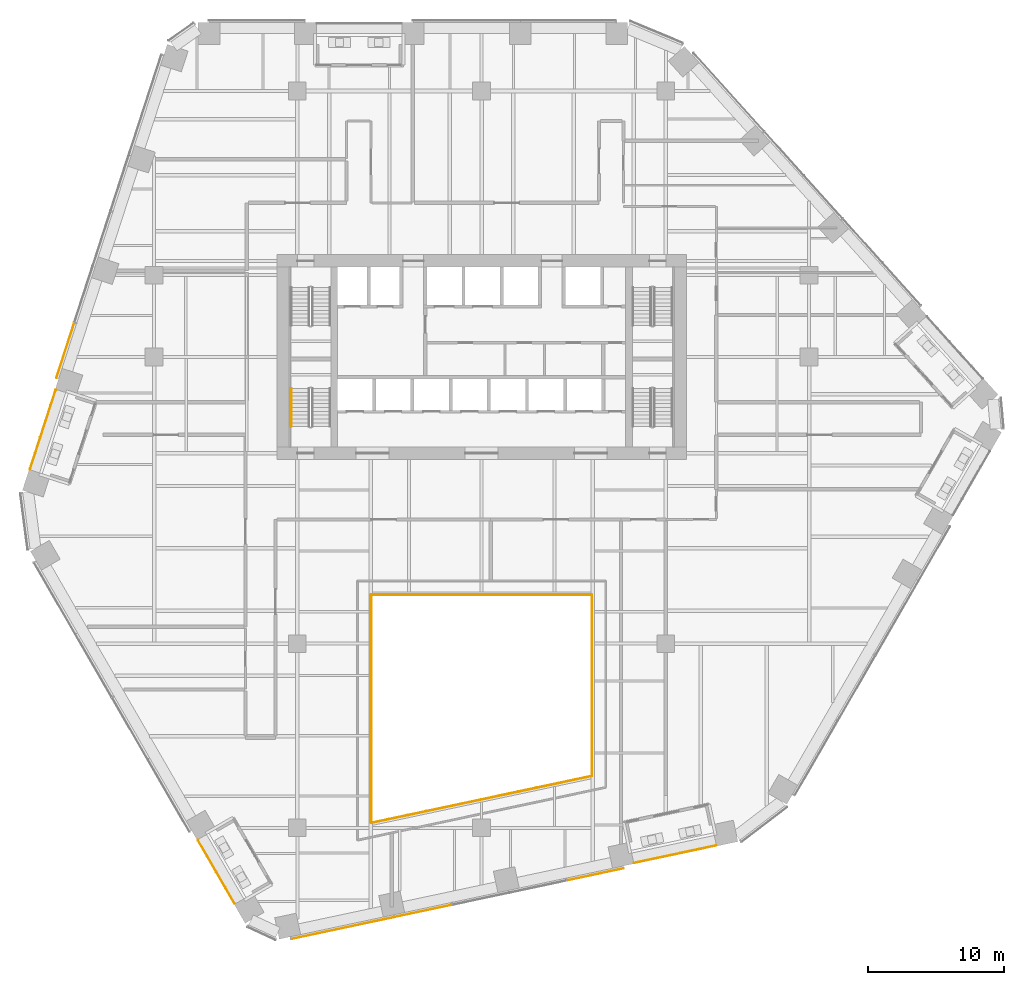
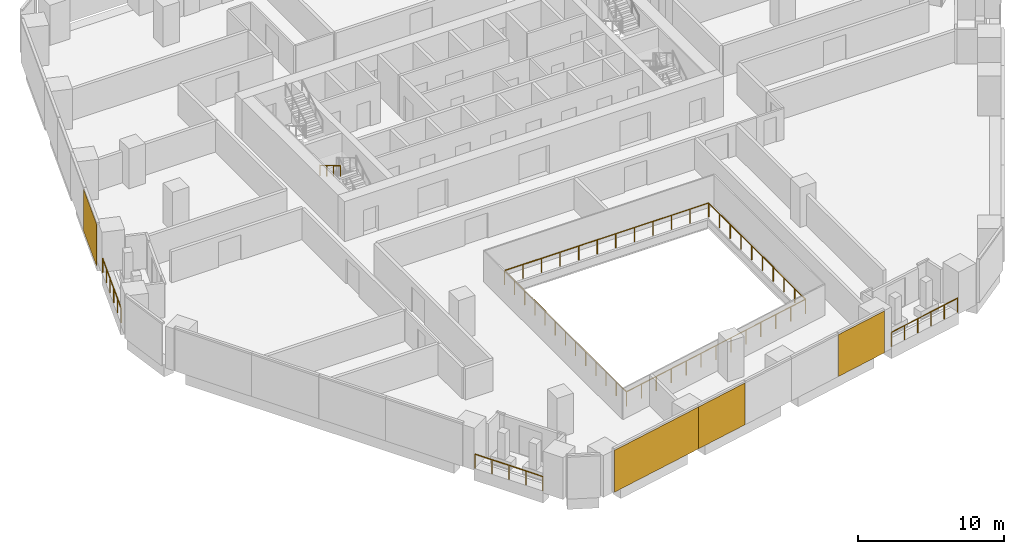
# One storey, part 27 of 31: 8 railings, 4 coverings, 2 elements without a shape of their own.
"""IFC4 building model written with IfcOpenShell, lengths in metres."""

from ifc_helpers import new_model, si_unit, direction, frame, origin, origin_2d, place, context, subcontext, project, spatial, rectangle, circle, extrude, material, layer, layer_set, type_object, element, aggregate, save


model = new_model("IFC4")

# Units and contexts
model_context = context("Model", 3, precision=1e-05, world=origin(), true_north=direction((0.0, 1.0)))
body_context = subcontext(model_context, "Body", "Model", "MODEL_VIEW")
ifc_project = project(units=[si_unit("LENGTHUNIT", "METRE"), si_unit("AREAUNIT", "SQUARE_METRE"), si_unit("VOLUMEUNIT", "CUBIC_METRE"), si_unit("PLANEANGLEUNIT", "RADIAN"), si_unit("MASSUNIT", "GRAM", prefix="KILO")], contexts=[model_context])

# Site, building, storey
site_placement = place(None, origin())
site = spatial("IfcSite", under=ifc_project, at=site_placement, CompositionType="ELEMENT")
building_placement = place(site_placement, origin())
building = spatial("IfcBuilding", under=site, at=building_placement, Name="Isthmus Gate Tower", CompositionType="ELEMENT")
storey_placement = place(building_placement, frame((0.0, 0.0, 113.5)))
storey = spatial("IfcBuildingStorey", under=building, at=storey_placement, Name="L27", CompositionType="ELEMENT", Elevation=113.5)

# Railings
ifc_material_1 = material(Name="Laminated toughened glass balustrade with steel rail", Category="steel")
railing_type_1 = type_object("IfcRailingType", Name="ATRIUM GUARD GLASS BALUSTRADE 1200", PredefinedType="GUARDRAIL", material=ifc_material_1)
railing_1_placement = place(storey_placement, frame((-8.080078125, -26.642822265625, 0.0)))
element("IfcRailing", 1, at=railing_1_placement, inside=storey, type_object=railing_type_1, Name="L27 atrium guard", PredefinedType="GUARDRAIL", context=body_context, shape_type="SweptSolid", body=[
    extrude(circle(Radius=0.02490234375, at=origin_2d()), frame((0.0, 0.0, 1.1748046875), z_axis=(0.0, 1.0, 0.0), x_axis=(-1.0, 0.0, 0.0)), (0.0, 0.0, 1.0), 16.722900390625),
    extrude(circle(Radius=0.02490234375, at=origin_2d()), origin(), (0.0, 0.0, 1.0), 1.14990234375),
    extrude(circle(Radius=0.02490234375, at=origin_2d()), frame((0.0, 1.3935546875, 0.0)), (0.0, 0.0, 1.0), 1.14990234375),
    extrude(circle(Radius=0.02490234375, at=origin_2d()), frame((0.0, 2.787109375, 0.0)), (0.0, 0.0, 1.0), 1.14990234375),
    extrude(circle(Radius=0.02490234375, at=origin_2d()), frame((0.0, 4.1806640625, 0.0)), (0.0, 0.0, 1.0), 1.14990234375),
    extrude(circle(Radius=0.02490234375, at=origin_2d()), frame((0.0, 5.57421875, 0.0)), (0.0, 0.0, 1.0), 1.14990234375),
    extrude(circle(Radius=0.02490234375, at=origin_2d()), frame((0.0, 6.9677734375, 0.0)), (0.0, 0.0, 1.0), 1.14990234375),
    extrude(circle(Radius=0.02490234375, at=origin_2d()), frame((0.0, 8.361328125, 0.0)), (0.0, 0.0, 1.0), 1.14990234375),
    extrude(circle(Radius=0.02490234375, at=origin_2d()), frame((0.0, 9.755126953125, 0.0)), (0.0, 0.0, 1.0), 1.14990234375),
    extrude(circle(Radius=0.02490234375, at=origin_2d()), frame((0.0, 11.148681640625, 0.0)), (0.0, 0.0, 1.0), 1.14990234375),
    extrude(circle(Radius=0.02490234375, at=origin_2d()), frame((0.0, 12.542236328125, 0.0)), (0.0, 0.0, 1.0), 1.14990234375),
    extrude(circle(Radius=0.02490234375, at=origin_2d()), frame((0.0, 13.935791015625, 0.0)), (0.0, 0.0, 1.0), 1.14990234375),
    extrude(circle(Radius=0.02490234375, at=origin_2d()), frame((0.0, 15.329345703125, 0.0)), (0.0, 0.0, 1.0), 1.14990234375),
    extrude(circle(Radius=0.02490234375, at=origin_2d()), frame((0.0, 16.722900390625, 0.0)), (0.0, 0.0, 1.0), 1.14990234375),
])
railing_2_placement = place(storey_placement, frame((-8.080078125, -9.919921875, 0.0)))
element("IfcRailing", 2, at=railing_2_placement, inside=storey, type_object=railing_type_1, Name="L27 atrium guard", PredefinedType="GUARDRAIL", context=body_context, shape_type="SweptSolid", body=[
    extrude(circle(Radius=0.02490234375, at=origin_2d()), frame((0.0, 0.0, 1.1748046875), z_axis=(1.0, 0.0, 0.0), x_axis=(0.0, 1.0, 0.0)), (0.0, 0.0, 1.0), 16.16015625),
    extrude(circle(Radius=0.02490234375, at=origin_2d()), origin(), (0.0, 0.0, 1.0), 1.14990234375),
    extrude(circle(Radius=0.02490234375, at=origin_2d()), frame((1.468994140625, 0.0, 0.0)), (0.0, 0.0, 1.0), 1.14990234375),
    extrude(circle(Radius=0.02490234375, at=origin_2d()), frame((2.938232421875, 0.0, 0.0)), (0.0, 0.0, 1.0), 1.14990234375),
    extrude(circle(Radius=0.02490234375, at=origin_2d()), frame((4.4072265625, 0.0, 0.0)), (0.0, 0.0, 1.0), 1.14990234375),
    extrude(circle(Radius=0.02490234375, at=origin_2d()), frame((5.87646484375, 0.0, 0.0)), (0.0, 0.0, 1.0), 1.14990234375),
    extrude(circle(Radius=0.02490234375, at=origin_2d()), frame((7.345458984375, 0.0, 0.0)), (0.0, 0.0, 1.0), 1.14990234375),
    extrude(circle(Radius=0.02490234375, at=origin_2d()), frame((8.814697265625, 0.0, 0.0)), (0.0, 0.0, 1.0), 1.14990234375),
    extrude(circle(Radius=0.02490234375, at=origin_2d()), frame((10.28369140625, 0.0, 0.0)), (0.0, 0.0, 1.0), 1.14990234375),
    extrude(circle(Radius=0.02490234375, at=origin_2d()), frame((11.7529296875, 0.0, 0.0)), (0.0, 0.0, 1.0), 1.14990234375),
    extrude(circle(Radius=0.02490234375, at=origin_2d()), frame((13.221923828125, 0.0, 0.0)), (0.0, 0.0, 1.0), 1.14990234375),
    extrude(circle(Radius=0.02490234375, at=origin_2d()), frame((14.691162109375, 0.0, 0.0)), (0.0, 0.0, 1.0), 1.14990234375),
    extrude(circle(Radius=0.02490234375, at=origin_2d()), frame((16.16015625, 0.0, 0.0)), (0.0, 0.0, 1.0), 1.14990234375),
])
railing_3_placement = place(storey_placement, frame((8.080078125, -9.919921875, 0.0)))
element("IfcRailing", 3, at=railing_3_placement, inside=storey, type_object=railing_type_1, Name="L27 atrium guard", PredefinedType="GUARDRAIL", context=body_context, shape_type="SweptSolid", body=[
    extrude(circle(Radius=0.02490234375, at=origin_2d()), frame((0.0, 0.0, 1.1748046875), z_axis=(0.0, -1.0, 0.0), x_axis=(1.0, 0.0, 0.0)), (0.0, 0.0, 1.0), 13.2880859375),
    extrude(circle(Radius=0.02490234375, at=origin_2d()), origin(), (0.0, 0.0, 1.0), 1.14990234375),
    extrude(circle(Radius=0.02490234375, at=origin_2d()), frame((0.0, -1.4765625, 0.0)), (0.0, 0.0, 1.0), 1.14990234375),
    extrude(circle(Radius=0.02490234375, at=origin_2d()), frame((0.0, -2.952880859375, 0.0)), (0.0, 0.0, 1.0), 1.14990234375),
    extrude(circle(Radius=0.02490234375, at=origin_2d()), frame((0.0, -4.429443359375, 0.0)), (0.0, 0.0, 1.0), 1.14990234375),
    extrude(circle(Radius=0.02490234375, at=origin_2d()), frame((0.0, -5.90576171875, 0.0)), (0.0, 0.0, 1.0), 1.14990234375),
    extrude(circle(Radius=0.02490234375, at=origin_2d()), frame((0.0, -7.38232421875, 0.0)), (0.0, 0.0, 1.0), 1.14990234375),
    extrude(circle(Radius=0.02490234375, at=origin_2d()), frame((0.0, -8.858642578125, 0.0)), (0.0, 0.0, 1.0), 1.14990234375),
    extrude(circle(Radius=0.02490234375, at=origin_2d()), frame((0.0, -10.335205078125, 0.0)), (0.0, 0.0, 1.0), 1.14990234375),
    extrude(circle(Radius=0.02490234375, at=origin_2d()), frame((0.0, -11.8115234375, 0.0)), (0.0, 0.0, 1.0), 1.14990234375),
    extrude(circle(Radius=0.02490234375, at=origin_2d()), frame((0.0, -13.2880859375, 0.0)), (0.0, 0.0, 1.0), 1.14990234375),
])
railing_4_placement = place(storey_placement, frame((8.080078125, -23.2080078125, 0.0)))
element("IfcRailing", 4, at=railing_4_placement, inside=storey, type_object=railing_type_1, Name="L27 atrium guard", PredefinedType="GUARDRAIL", context=body_context, shape_type="SweptSolid", body=[
    extrude(circle(Radius=0.02490234375, at=origin_2d()), frame((0.0, 0.0, 1.1748046875), z_axis=(-0.978149235358, -0.207904000366, 0.0), x_axis=(0.207904000366, -0.978149235358, 0.0)), (0.0, 0.0, 1.0), 16.521240234375),
    extrude(circle(Radius=0.02490234375, at=origin_2d()), origin(), (0.0, 0.0, 1.0), 1.14990234375),
    extrude(circle(Radius=0.02490234375, at=origin_2d()), frame((-1.3466796875, -0.2861328125, 0.0)), (0.0, 0.0, 1.0), 1.14990234375),
    extrude(circle(Radius=0.02490234375, at=origin_2d()), frame((-2.693359375, -0.572509765625, 0.0)), (0.0, 0.0, 1.0), 1.14990234375),
    extrude(circle(Radius=0.02490234375, at=origin_2d()), frame((-4.0400390625, -0.858642578125, 0.0)), (0.0, 0.0, 1.0), 1.14990234375),
    extrude(circle(Radius=0.02490234375, at=origin_2d()), frame((-5.38671875, -1.14501953125, 0.0)), (0.0, 0.0, 1.0), 1.14990234375),
    extrude(circle(Radius=0.02490234375, at=origin_2d()), frame((-6.7333984375, -1.43115234375, 0.0)), (0.0, 0.0, 1.0), 1.14990234375),
    extrude(circle(Radius=0.02490234375, at=origin_2d()), frame((-8.080078125, -1.71728515625, 0.0)), (0.0, 0.0, 1.0), 1.14990234375),
    extrude(circle(Radius=0.02490234375, at=origin_2d()), frame((-9.4267578125, -2.003662109375, 0.0)), (0.0, 0.0, 1.0), 1.14990234375),
    extrude(circle(Radius=0.02490234375, at=origin_2d()), frame((-10.7734375, -2.289794921875, 0.0)), (0.0, 0.0, 1.0), 1.14990234375),
    extrude(circle(Radius=0.02490234375, at=origin_2d()), frame((-12.1201171875, -2.576171875, 0.0)), (0.0, 0.0, 1.0), 1.14990234375),
    extrude(circle(Radius=0.02490234375, at=origin_2d()), frame((-13.466796875, -2.8623046875, 0.0)), (0.0, 0.0, 1.0), 1.14990234375),
    extrude(circle(Radius=0.02490234375, at=origin_2d()), frame((-14.8134765625, -3.148681640625, 0.0)), (0.0, 0.0, 1.0), 1.14990234375),
    extrude(circle(Radius=0.02490234375, at=origin_2d()), frame((-16.16015625, -3.434814453125, 0.0)), (0.0, 0.0, 1.0), 1.14990234375),
])

# Curtain wall, covering
ifc_material_2 = material(Name="Aluminium, pale champagne anodised", Category="aluminium")
ifc_layer_1 = layer(ifc_material_2, 0.199951171875)
ifc_layer_set_1 = layer_set([ifc_layer_1], Name="CW-1 UNITISED CURTAIN WALL 200 DEEP")
curtain_wall_type = type_object("IfcCurtainWallType", Name="CW-1 UNITISED CURTAIN WALL 200 DEEP", PredefinedType="NOTDEFINED", material=ifc_layer_set_1)
curtain_wall_1_placement = place(storey_placement, origin())
curtain_wall_1 = element("IfcCurtainWall", 5, at=curtain_wall_1_placement, inside=storey, type_object=curtain_wall_type, Name="CW-1 NW L27", PredefinedType="NOTDEFINED")
ifc_material_3 = material(Name="Aluminium composite panel, pale champagne anodised", Category="aluminium")
ifc_layer_2 = layer(ifc_material_3, 0.0400390625)
ifc_layer_set_2 = layer_set([ifc_layer_2], Name="CW-1 PALE METAL PANEL 40")
covering_type = type_object("IfcCoveringType", Name="CW-1 PALE METAL PANEL 40", PredefinedType="CLADDING", material=ifc_layer_set_2)
covering_1_placement = place(storey_placement, frame((-30.5087890625, 7.9775390625, 0.0), z_axis=(0.0, 0.0, 1.0), x_axis=(-0.309016994375, -0.951056516295, 0.0)))
covering_1 = element("IfcCovering", 6, at=covering_1_placement, type_object=covering_type, Name="CW-1 pale metal panel", PredefinedType="CLADDING", context=body_context, shape_type="SweptSolid", body=[
    extrude(rectangle(XDim=4.234619140625, YDim=0.0400390625, at=origin_2d()), origin(), (0.0, 0.0, 1.0), 3.5),
])
aggregate(curtain_wall_1, [covering_1])

# Curtain wall, coverings
curtain_wall_2_placement = place(storey_placement, origin())
curtain_wall_2 = element("IfcCurtainWall", 7, at=curtain_wall_2_placement, inside=storey, type_object=curtain_wall_type, Name="CW-1 S L27", PredefinedType="NOTDEFINED")
covering_2_placement = place(storey_placement, frame((-10.166748046875, -34.344970703125, 0.0), z_axis=(0.0, 0.0, 1.0), x_axis=(0.978147600734, 0.207911690818, 0.0)))
covering_2 = element("IfcCovering", 8, at=covering_2_placement, type_object=covering_type, Name="CW-1 pale metal panel", PredefinedType="CLADDING", context=body_context, shape_type="SweptSolid", body=[
    extrude(rectangle(XDim=7.729248046875, YDim=0.0400390625, at=origin_2d()), origin(), (0.0, 0.0, 1.0), 3.5),
])
covering_3_placement = place(storey_placement, frame((-4.2861328125, -33.094970703125, 0.0), z_axis=(0.0, 0.0, 1.0), x_axis=(0.978147600734, 0.207911690818, 0.0)))
covering_3 = element("IfcCovering", 9, at=covering_3_placement, type_object=covering_type, Name="CW-1 pale metal panel", PredefinedType="CLADDING", context=body_context, shape_type="SweptSolid", body=[
    extrude(rectangle(XDim=4.294677734375, YDim=0.0400390625, at=origin_2d()), origin(), (0.0, 0.0, 1.0), 3.5),
])
covering_4_placement = place(storey_placement, frame((8.345703125, -30.41015625, 0.0), z_axis=(0.0, 0.0, 1.0), x_axis=(0.978147600734, 0.207911690818, 0.0)))
covering_4 = element("IfcCovering", 10, at=covering_4_placement, type_object=covering_type, Name="CW-1 pale metal panel", PredefinedType="CLADDING", context=body_context, shape_type="SweptSolid", body=[
    extrude(rectangle(XDim=4.234619140625, YDim=0.0400390625, at=origin_2d()), origin(), (0.0, 0.0, 1.0), 3.5),
])
aggregate(curtain_wall_2, [covering_2, covering_3, covering_4])

# Railings
ifc_material_4 = material(Name="Toughened laminated glass with stainless steel posts", Category="steel")
railing_type_2 = type_object("IfcRailingType", Name="GUARD 1200 FRAMELESS GLASS", PredefinedType="GUARDRAIL", material=ifc_material_4)
railing_5_placement = place(storey_placement, frame((-31.203857421875, 5.09375, 0.0)))
element("IfcRailing", 11, at=railing_5_placement, inside=storey, type_object=railing_type_2, Name="LOGGIA GUARD", PredefinedType="GUARDRAIL", context=body_context, shape_type="SweptSolid", body=[
    extrude(circle(Radius=0.02490234375, at=origin_2d()), frame((0.0, 0.0, 1.1748046875), z_axis=(-0.309025530193, -0.951053742798, 0.0), x_axis=(0.951053742798, -0.309025530193, 0.0)), (0.0, 0.0, 1.0), 6.109375),
    extrude(circle(Radius=0.02490234375, at=origin_2d()), origin(), (0.0, 0.0, 1.0), 1.14990234375),
    extrude(circle(Radius=0.02490234375, at=origin_2d()), frame((-0.377685546875, -1.162109375, 0.0)), (0.0, 0.0, 1.0), 1.14990234375),
    extrude(circle(Radius=0.02490234375, at=origin_2d()), frame((-0.755126953125, -2.32421875, 0.0)), (0.0, 0.0, 1.0), 1.14990234375),
    extrude(circle(Radius=0.02490234375, at=origin_2d()), frame((-1.1328125, -3.486083984375, 0.0)), (0.0, 0.0, 1.0), 1.14990234375),
    extrude(circle(Radius=0.02490234375, at=origin_2d()), frame((-1.51025390625, -4.648193359375, 0.0)), (0.0, 0.0, 1.0), 1.14990234375),
    extrude(circle(Radius=0.02490234375, at=origin_2d()), frame((-1.887939453125, -5.810302734375, 0.0)), (0.0, 0.0, 1.0), 1.14990234375),
])
railing_6_placement = place(storey_placement, frame((-20.783203125, -27.90234375, 0.0)))
element("IfcRailing", 12, at=railing_6_placement, inside=storey, type_object=railing_type_2, Name="LOGGIA GUARD", PredefinedType="GUARDRAIL", context=body_context, shape_type="SweptSolid", body=[
    extrude(circle(Radius=0.02490234375, at=origin_2d()), frame((0.0, 0.0, 1.1748046875), z_axis=(0.500011394563, -0.86601882503, 0.0), x_axis=(0.86601882503, 0.500011394563, 0.0)), (0.0, 0.0, 1.0), 5.363525390625),
    extrude(circle(Radius=0.02490234375, at=origin_2d()), origin(), (0.0, 0.0, 1.0), 1.14990234375),
    extrude(circle(Radius=0.02490234375, at=origin_2d()), frame((0.67041015625, -1.1611328125, 0.0)), (0.0, 0.0, 1.0), 1.14990234375),
    extrude(circle(Radius=0.02490234375, at=origin_2d()), frame((1.3408203125, -2.322509765625, 0.0)), (0.0, 0.0, 1.0), 1.14990234375),
    extrude(circle(Radius=0.02490234375, at=origin_2d()), frame((2.011474609375, -3.48388671875, 0.0)), (0.0, 0.0, 1.0), 1.14990234375),
    extrude(circle(Radius=0.02490234375, at=origin_2d()), frame((2.681884765625, -4.64501953125, 0.0)), (0.0, 0.0, 1.0), 1.14990234375),
])
railing_7_placement = place(storey_placement, frame((11.190673828125, -29.5703125, 0.0)))
element("IfcRailing", 13, at=railing_7_placement, inside=storey, type_object=railing_type_2, Name="LOGGIA GUARD", PredefinedType="GUARDRAIL", context=body_context, shape_type="SweptSolid", body=[
    extrude(circle(Radius=0.02490234375, at=origin_2d()), frame((0.0, 0.0, 1.1748046875), z_axis=(0.978145544238, 0.207921365636, 0.0), x_axis=(-0.207921365636, 0.978145544238, 0.0)), (0.0, 0.0, 1.0), 6.109375),
    extrude(circle(Radius=0.02490234375, at=origin_2d()), origin(), (0.0, 0.0, 1.0), 1.14990234375),
    extrude(circle(Radius=0.02490234375, at=origin_2d()), frame((1.195068359375, 0.254150390625, 0.0)), (0.0, 0.0, 1.0), 1.14990234375),
    extrude(circle(Radius=0.02490234375, at=origin_2d()), frame((2.390380859375, 0.508056640625, 0.0)), (0.0, 0.0, 1.0), 1.14990234375),
    extrude(circle(Radius=0.02490234375, at=origin_2d()), frame((3.58544921875, 0.76220703125, 0.0)), (0.0, 0.0, 1.0), 1.14990234375),
    extrude(circle(Radius=0.02490234375, at=origin_2d()), frame((4.78076171875, 1.01611328125, 0.0)), (0.0, 0.0, 1.0), 1.14990234375),
    extrude(circle(Radius=0.02490234375, at=origin_2d()), frame((5.975830078125, 1.270263671875, 0.0)), (0.0, 0.0, 1.0), 1.14990234375),
])
ifc_material_5 = material(Name="Stainless steel handrail", Category="steel")
railing_type_3 = type_object("IfcRailingType", Name="STAIR HANDRAIL 900", PredefinedType="HANDRAIL", material=ifc_material_5)
railing_8_placement = place(storey_placement, frame((-13.949951171875, 5.199951171875, 1.990966796875)))
element("IfcRailing", 14, at=railing_8_placement, inside=storey, type_object=railing_type_3, Name="L27 ST7 stair handrail 2", PredefinedType="HANDRAIL", context=body_context, shape_type="SweptSolid", body=[
    extrude(circle(Radius=0.02392578125, at=origin_2d()), frame((0.0, 0.0, 0.8759765625), z_axis=(0.0, -0.860339051648, 0.50972219513), x_axis=(1.0, 0.0, 0.0)), (0.0, 0.0, 1.0), 3.254638671875),
    extrude(circle(Radius=0.02099609375, at=origin_2d()), origin(), (0.0, 0.0, 1.0), 0.851806640625),
    extrude(circle(Radius=0.02099609375, at=origin_2d()), frame((0.0, -0.933349609375, 0.552978515625)), (0.0, 0.0, 1.0), 0.851806640625),
    extrude(circle(Radius=0.02099609375, at=origin_2d()), frame((0.0, -1.86669921875, 1.10595703125)), (0.0, 0.0, 1.0), 0.851806640625),
    extrude(circle(Radius=0.02099609375, at=origin_2d()), frame((0.0, -2.800048828125, 1.658935546875)), (0.0, 0.0, 1.0), 0.851806640625),
])

save(model, "model.ifc")
